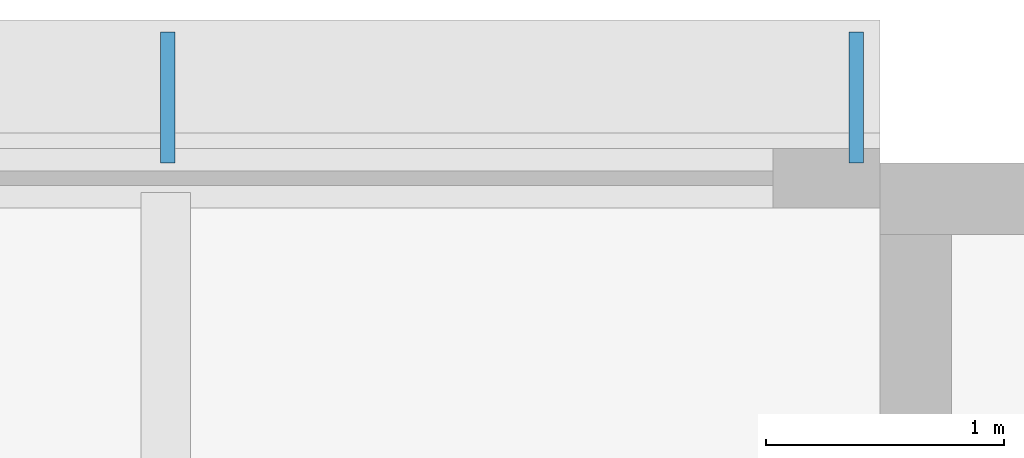
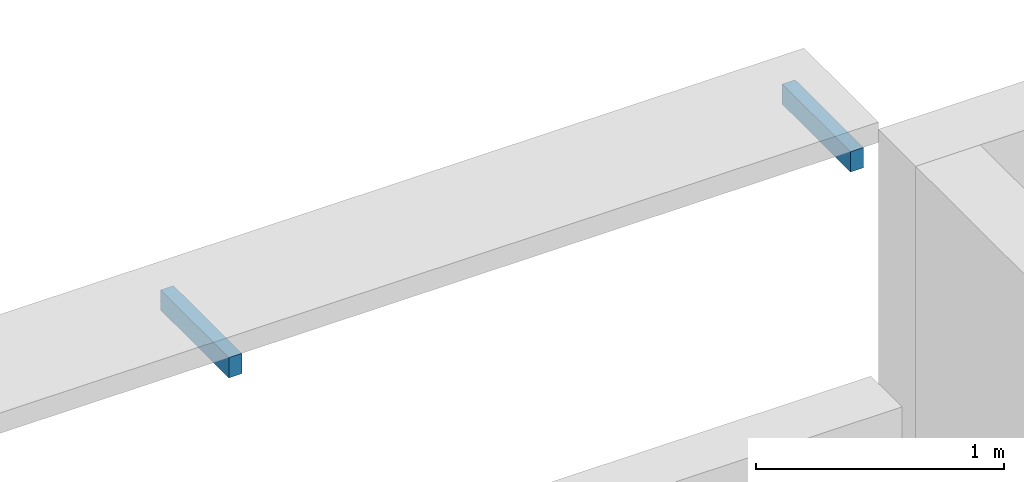
# One storey, part 47 of 57: 2 discrete accessories.
"""IFC4 building model written with IfcOpenShell, lengths in metres."""

import ifcopenshell
import ifcopenshell.guid

model = None  # the IFC model being written
_history = None  # IfcOwnerHistory: only IFC2X3 demands one
_inside = {}  # id of a spatial element -> (the spatial element, [elements in it])
_under = {}  # id of a project, library or spatial element -> (it, [spatial elements below it])
_declared = {}  # id of a project -> (the project, [libraries it declares])
_typed = {}  # id of a type object -> (the type object, [elements of that type])
_made_of = {}  # id of a material, layer set ... -> (it, [elements and type objects made of it])


def new_model(schema):
    """Start an empty IFC model of exactly this schema.

    Asked for "IFC4X3", IfcOpenShell would pick the latest addendum, in which some entities
    have other attributes; the version numbers below select the first issue.
    IFC2X3 requires an IfcOwnerHistory on every rooted entity: one is made here for all.
    """
    global model, _history
    if schema == "IFC4X3":
        model = ifcopenshell.file(schema_version=(4, 3, 0, 0))
    else:
        model = ifcopenshell.file(schema=schema)
    _inside.clear()
    _under.clear()
    _declared.clear()
    _typed.clear()
    _made_of.clear()
    _history = None
    if model.schema == "IFC2X3":
        org = make("IfcOrganization", Name="unknown")
        user = make(
            "IfcPersonAndOrganization",
            ThePerson=make("IfcPerson", FamilyName="unknown"),
            TheOrganization=org,
        )
        app = make(
            "IfcApplication",
            ApplicationDeveloper=org,
            Version="unknown",
            ApplicationFullName="unknown",
            ApplicationIdentifier="unknown",
        )
        _history = make(
            "IfcOwnerHistory",
            OwningUser=user,
            OwningApplication=app,
            ChangeAction="ADDED",
            CreationDate=0,
        )
    return model


def make(cls, **values):
    """One entity of the class cls with the attributes given. An attribute that is None is left unset."""
    return model.create_entity(
        cls, **{name: value for name, value in values.items() if value is not None}
    )


def rooted(cls, **values):
    """An entity with a GlobalId (a new one), such as an element, a storey or a relation."""
    return make(cls, GlobalId=ifcopenshell.guid.new(), OwnerHistory=_history, **values)


def si_unit(unit_type, name, prefix=None):
    """IfcSIUnit, for example si_unit("LENGTHUNIT", "METRE", prefix="MILLI")."""
    return make("IfcSIUnit", UnitType=unit_type, Prefix=prefix, Name=name)


def assignment(units):
    """IfcUnitAssignment: the units of a project."""
    return None if units is None else make("IfcUnitAssignment", Units=units)


def point(xyz):
    """IfcCartesianPoint."""
    return None if xyz is None else make("IfcCartesianPoint", Coordinates=xyz)


def direction(xyz):
    """IfcDirection."""
    return None if xyz is None else make("IfcDirection", DirectionRatios=xyz)


def frame(location, z_axis=None, x_axis=None):
    """IfcAxis2Placement3D, a coordinate frame: its origin and axes. An axis left out is left unset."""
    return make(
        "IfcAxis2Placement3D",
        Location=point(location),
        Axis=direction(z_axis),
        RefDirection=direction(x_axis),
    )


def frame_2d(location, x_axis=None):
    """IfcAxis2Placement2D, a coordinate frame in the plane: its origin and x axis."""
    return make(
        "IfcAxis2Placement2D", Location=point(location), RefDirection=direction(x_axis)
    )


def origin():
    """The frame at (0, 0, 0) with its axes left unset."""
    return frame((0.0, 0.0, 0.0))


def origin_2d():
    """The frame at (0, 0) in the plane with its x axis left unset."""
    return frame_2d((0.0, 0.0))


def place(relative_to, where):
    """IfcLocalPlacement: puts the frame where relative to a parent placement (None: the world)."""
    return make(
        "IfcLocalPlacement", PlacementRelTo=relative_to, RelativePlacement=where
    )


def context(
    kind, dimensions, precision=None, world=None, true_north=None, identifier=None
):
    """IfcGeometricRepresentationContext, for example the 3D "Model" context."""
    return make(
        "IfcGeometricRepresentationContext",
        ContextIdentifier=identifier,
        ContextType=kind,
        CoordinateSpaceDimension=dimensions,
        Precision=precision,
        WorldCoordinateSystem=world,
        TrueNorth=true_north,
    )


def subcontext(parent, identifier, kind, view, scale=None):
    """IfcGeometricRepresentationSubContext, for example "Body" below "Model"."""
    return make(
        "IfcGeometricRepresentationSubContext",
        ContextIdentifier=identifier,
        ContextType=kind,
        ParentContext=parent,
        TargetScale=scale,
        TargetView=view,
    )


def project(units=None, contexts=None):
    """IfcProject with its units and contexts."""
    return rooted(
        "IfcProject",
        Name="project",
        RepresentationContexts=contexts,
        UnitsInContext=assignment(units),
    )


def spatial(cls, under=None, at=None, **own):
    """A site, building, storey or space (cls), placed at a placement, below another one or the project."""
    s = rooted(cls, ObjectPlacement=at, **own)
    if under is not None:
        _under.setdefault(under.id(), (under, []))[1].append(s)
    return s


def profile(cls, at=None, kind="AREA", **sizes):
    """A parametric profile (cls). Its sizes go by their IFC names, for example OverallWidth=200.0."""
    return make(cls, ProfileType=kind, Position=at, **sizes)


def rectangle(**sizes):
    """IfcRectangleProfileDef."""
    return profile("IfcRectangleProfileDef", **sizes)


def extrude(swept, where, along, depth):
    """IfcExtrudedAreaSolid: the profile swept, set in the frame where, extruded along a direction by depth."""
    return make(
        "IfcExtrudedAreaSolid",
        SweptArea=swept,
        Position=where,
        ExtrudedDirection=direction(along),
        Depth=depth,
    )


def shape(context_of_items, identifier, shape_type, items):
    """IfcShapeRepresentation: the items that make up one representation, for example the "Body"."""
    return make(
        "IfcShapeRepresentation",
        ContextOfItems=context_of_items,
        RepresentationIdentifier=identifier,
        RepresentationType=shape_type,
        Items=items,
    )


def made_of(thing, what):
    """Note that an element or type object is made of a material, layer set ...; save() writes the relation."""
    if what is not None:
        _made_of.setdefault(what.id(), (what, []))[1].append(thing)
    return thing


def element(
    cls,
    number,
    at=None,
    inside=None,
    cuts=None,
    type_object=None,
    material=None,
    context=None,
    identifier="Body",
    shape_type=None,
    held_by="IfcProductDefinitionShape",
    body=None,
    shapes=None,
    **own,
):
    """One element of the class cls, such as IfcWall. Its Tag is "e" and its number.

    at: its placement. inside: the storey or other place that contains it. cuts: it is an
    opening in that element (IfcRelVoidsElement). A single representation is given by context,
    identifier, shape_type and body (its items); several are given by shapes. held_by: the class
    of the entity that holds the representations. save() writes the other relations.
    """
    e = rooted(cls, Tag="e%d" % number, ObjectPlacement=at, **own)
    if body is not None:
        shapes = [shape(context, identifier, shape_type, body)]
    if shapes is not None:
        e.Representation = make(held_by, Representations=shapes)
    if inside is not None:
        _inside.setdefault(inside.id(), (inside, []))[1].append(e)
    if cuts is not None:
        rooted(
            "IfcRelVoidsElement", RelatingBuildingElement=cuts, RelatedOpeningElement=e
        )
    if type_object is not None:
        _typed.setdefault(type_object.id(), (type_object, []))[1].append(e)
    return made_of(e, material)


def aggregate(whole, parts):
    """IfcRelAggregates: a whole, such as a stair, and the parts it consists of."""
    return rooted("IfcRelAggregates", RelatingObject=whole, RelatedObjects=parts)


def save(model, path):
    """Write the relations noted so far, then the file.

    IfcRelAggregates (storeys below a building ...), IfcRelContainedInSpatialStructure (elements
    in a storey), IfcRelDefinesByType, IfcRelAssociatesMaterial and IfcRelDeclares: one each for
    every whole, place, type object, material and project.
    """
    for whole, parts in _under.values():
        aggregate(whole, parts)
    for where, things in _inside.values():
        rooted(
            "IfcRelContainedInSpatialStructure",
            RelatedElements=things,
            RelatingStructure=where,
        )
    for kind, things in _typed.values():
        rooted("IfcRelDefinesByType", RelatedObjects=things, RelatingType=kind)
    for what, things in _made_of.values():
        rooted("IfcRelAssociatesMaterial", RelatedObjects=things, RelatingMaterial=what)
    for by, libraries in _declared.values():
        rooted("IfcRelDeclares", RelatingContext=by, RelatedDefinitions=libraries)
    model.write(path)


model = new_model("IFC4")

# Units and contexts
model_context = context("Model", 3, precision=1e-05, world=origin(), true_north=direction((0.0, 1.0)))
body_context = subcontext(model_context, "Body", "Model", "MODEL_VIEW")
ifc_project = project(units=[si_unit("LENGTHUNIT", "METRE"), si_unit("AREAUNIT", "SQUARE_METRE"), si_unit("VOLUMEUNIT", "CUBIC_METRE"), si_unit("PLANEANGLEUNIT", "RADIAN"), si_unit("MASSUNIT", "GRAM", prefix="KILO")], contexts=[model_context])

# Site, building, storey
site_placement = place(None, origin())
site = spatial("IfcSite", under=ifc_project, at=site_placement, CompositionType="ELEMENT")
building_placement = place(site_placement, origin())
building = spatial("IfcBuilding", under=site, at=building_placement, Name="Halyard Row Museum", CompositionType="ELEMENT")
storey_placement = place(building_placement, frame((0.0, 0.0, 5.0)))
storey = spatial("IfcBuildingStorey", under=building, at=storey_placement, Name="L01", CompositionType="ELEMENT", Elevation=5.0)

# Discrete accessories
for number, where, z_axis, x_axis, name in (
    (1, (98.89990234375, 63.27490234375, 4.034912109375), (0.0, 0.0, 1.0), (1.0, 0.0, 0.0), "Louvre bracket"),
    (2, (96.00830078125, 63.27490234375, 4.034912109375), (0.0, 0.0, 1.0), (1.0, 0.0, 0.0), "Louvre bracket"),
):
    element("IfcDiscreteAccessory", number, at=place(storey_placement, frame(where, z_axis=z_axis, x_axis=x_axis)), inside=storey, Name=name, PredefinedType="BRACKET", context=body_context, shape_type="SweptSolid", body=[
        extrude(rectangle(XDim=0.06005859375, YDim=0.550048828125, at=origin_2d()), origin(), (0.0, 0.0, 1.0), 0.10009765625),
    ])

save(model, "model.ifc")
